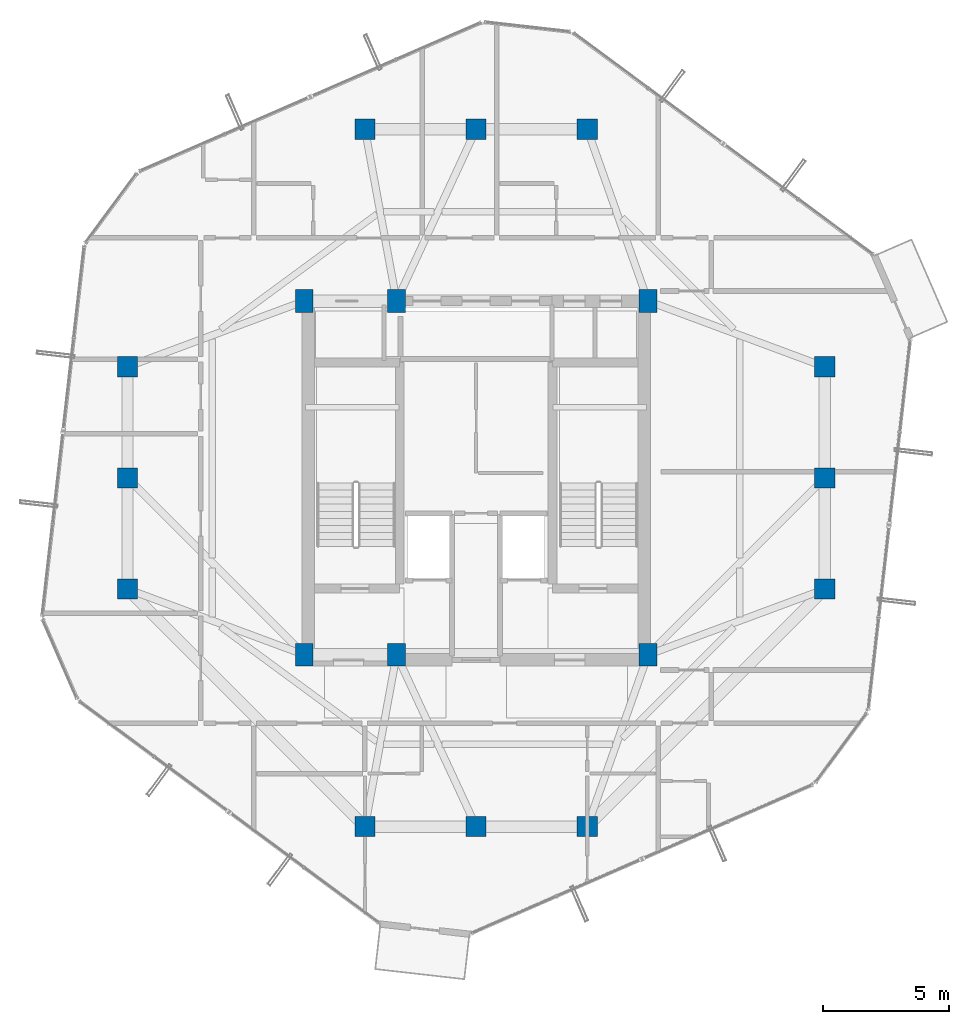
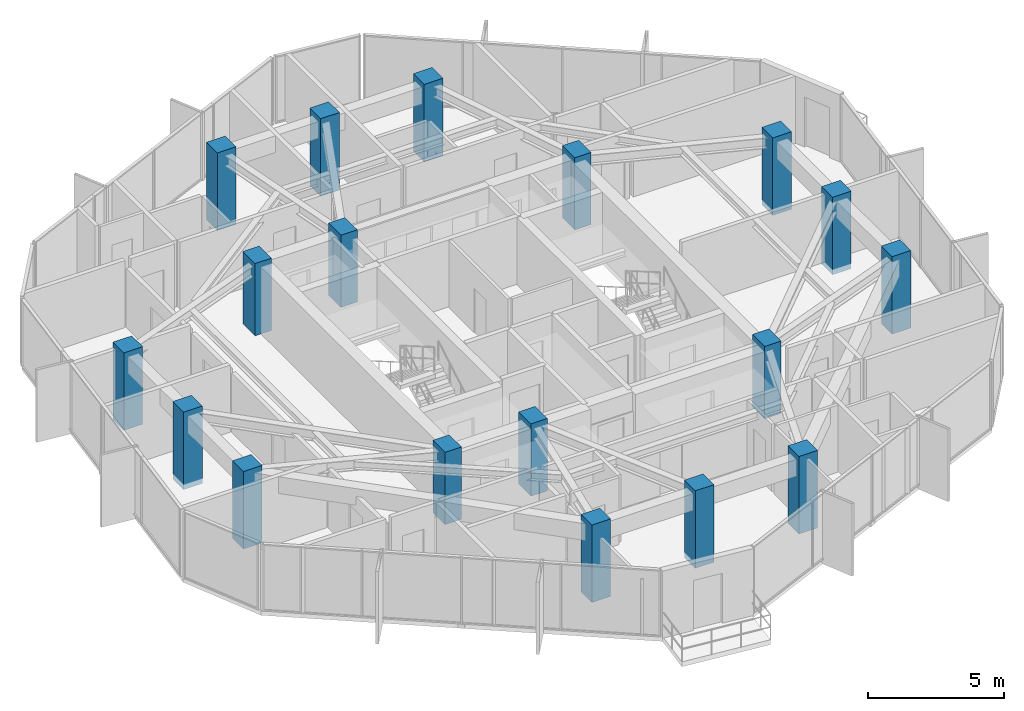
# One storey, part 1 of 30: 18 columns.
"""IFC4 building model written with IfcOpenShell, lengths in metres."""

from ifc_helpers import new_model, si_unit, direction, frame, origin, origin_2d, place, context, subcontext, project, spatial, rectangle, extrude, material, material_profile, profile_set, type_object, element, save


model = new_model("IFC4")

# Units and contexts
model_context = context("Model", 3, precision=1e-05, world=origin(), true_north=direction((0.0, 1.0)))
body_context = subcontext(model_context, "Body", "Model", "MODEL_VIEW")
ifc_project = project(units=[si_unit("LENGTHUNIT", "METRE"), si_unit("AREAUNIT", "SQUARE_METRE"), si_unit("VOLUMEUNIT", "CUBIC_METRE"), si_unit("PLANEANGLEUNIT", "RADIAN"), si_unit("MASSUNIT", "GRAM", prefix="KILO")], contexts=[model_context])

# Site, building, storey
site_placement = place(None, origin())
site = spatial("IfcSite", under=ifc_project, at=site_placement, CompositionType="ELEMENT")
building_placement = place(site_placement, origin())
building = spatial("IfcBuilding", under=site, at=building_placement, Name="Veraguas Prism Commons", CompositionType="ELEMENT")
storey_placement = place(building_placement, frame((0.0, 0.0, 230.050048828125)))
storey = spatial("IfcBuildingStorey", under=building, at=storey_placement, Name="L65", CompositionType="ELEMENT", Elevation=230.050048828125)

# Columns
ifc_material = material(Name="Concrete C50/60", Category="concrete")
ifc_material_profile_1 = material_profile(ifc_material, rectangle(XDim=0.800048828125, YDim=0.800048828125, at=origin_2d()), Name="RC800X800")
ifc_profile_set_1 = profile_set([ifc_material_profile_1], Name="Concrete C50/60")
column_type_1 = type_object("IfcColumnType", Name="Column Tube Z4 RC 800x800", PredefinedType="COLUMN", material=ifc_profile_set_1)
for number, where, z_axis, x_axis, name in (
    (1, (37.800048828125, 19.60009765625, -0.235107421875), (0.0, 0.0, 1.0), (1.0, 0.0, 0.0), "Tower Perimeter Column L65-TB01"),
    (2, (37.800048828125, 24.0, -0.235107421875), (0.0, 0.0, 1.0), (1.0, 0.0, 0.0), "Tower Perimeter Column L65-TB02"),
    (3, (37.800048828125, 28.39990234375, -0.235107421875), (0.0, 0.0, 1.0), (1.0, 0.0, 0.0), "Tower Perimeter Column L65-TB03"),
    (4, (28.39990234375, 37.800048828125, -0.235107421875), (0.0, 0.0, 1.0), (1.0, 0.0, 0.0), "Tower Perimeter Column L65-TB04"),
    (5, (24.0, 37.800048828125, -0.235107421875), (0.0, 0.0, 1.0), (1.0, 0.0, 0.0), "Tower Perimeter Column L65-TB05"),
    (6, (19.60009765625, 37.800048828125, -0.235107421875), (0.0, 0.0, 1.0), (1.0, 0.0, 0.0), "Tower Perimeter Column L65-TB06"),
    (7, (10.199951171875, 28.39990234375, -0.235107421875), (0.0, 0.0, 1.0), (1.0, 0.0, 0.0), "Tower Perimeter Column L65-TB07"),
    (8, (10.199951171875, 24.0, -0.235107421875), (0.0, 0.0, 1.0), (1.0, 0.0, 0.0), "Tower Perimeter Column L65-TB08"),
    (9, (10.199951171875, 19.60009765625, -0.235107421875), (0.0, 0.0, 1.0), (1.0, 0.0, 0.0), "Tower Perimeter Column L65-TB09"),
    (10, (19.60009765625, 10.199951171875, -0.235107421875), (0.0, 0.0, 1.0), (1.0, 0.0, 0.0), "Tower Perimeter Column L65-TB10"),
    (11, (24.0, 10.199951171875, -0.235107421875), (0.0, 0.0, 1.0), (1.0, 0.0, 0.0), "Tower Perimeter Column L65-TB11"),
    (12, (28.39990234375, 10.199951171875, -0.235107421875), (0.0, 0.0, 1.0), (1.0, 0.0, 0.0), "Tower Perimeter Column L65-TB12"),
):
    element("IfcColumn", number, at=place(storey_placement, frame(where, z_axis=z_axis, x_axis=x_axis)), inside=storey, type_object=column_type_1, Name=name, PredefinedType="COLUMN", context=body_context, shape_type="SweptSolid", body=[
        extrude(rectangle(XDim=0.800048828125, YDim=0.800048828125, at=origin_2d()), origin(), (0.0, 0.0, 1.0), 3.485107421875),
    ])
ifc_material_profile_2 = material_profile(ifc_material, rectangle(XDim=0.699951171875, YDim=0.89990234375, at=origin_2d()), Name="RC700X900")
ifc_profile_set_2 = profile_set([ifc_material_profile_2], Name="Concrete C50/60")
column_type_2 = type_object("IfcColumnType", Name="Pilaster Core Upper RC 700x900", PredefinedType="PILASTER", material=ifc_profile_set_2)
for number, where, z_axis, x_axis, name in (
    (13, (17.199951171875, 17.0, 0.0), (0.0, 0.0, 1.0), (1.0, 0.0, 0.0), "Core Pilaster Column L65-CR1"),
    (14, (20.85009765625, 17.0, 0.0), (0.0, 0.0, 1.0), (1.0, 0.0, 0.0), "Core Pilaster Column L65-CR2"),
    (15, (30.800048828125, 17.0, 0.0), (0.0, 0.0, 1.0), (1.0, 0.0, 0.0), "Core Pilaster Column L65-CR3"),
    (16, (17.199951171875, 31.0, 0.0), (0.0, 0.0, 1.0), (1.0, 0.0, 0.0), "Core Pilaster Column L65-CR4"),
    (17, (20.85009765625, 31.0, 0.0), (0.0, 0.0, 1.0), (1.0, 0.0, 0.0), "Core Pilaster Column L65-CR5"),
    (18, (30.800048828125, 31.0, 0.0), (0.0, 0.0, 1.0), (1.0, 0.0, 0.0), "Core Pilaster Column L65-CR6"),
):
    element("IfcColumn", number, at=place(storey_placement, frame(where, z_axis=z_axis, x_axis=x_axis)), inside=storey, type_object=column_type_2, Name=name, PredefinedType="PILASTER", context=body_context, shape_type="SweptSolid", body=[
        extrude(rectangle(XDim=0.699951171875, YDim=0.89990234375, at=origin_2d()), origin(), (0.0, 0.0, 1.0), 3.25),
    ])

save(model, "model.ifc")
